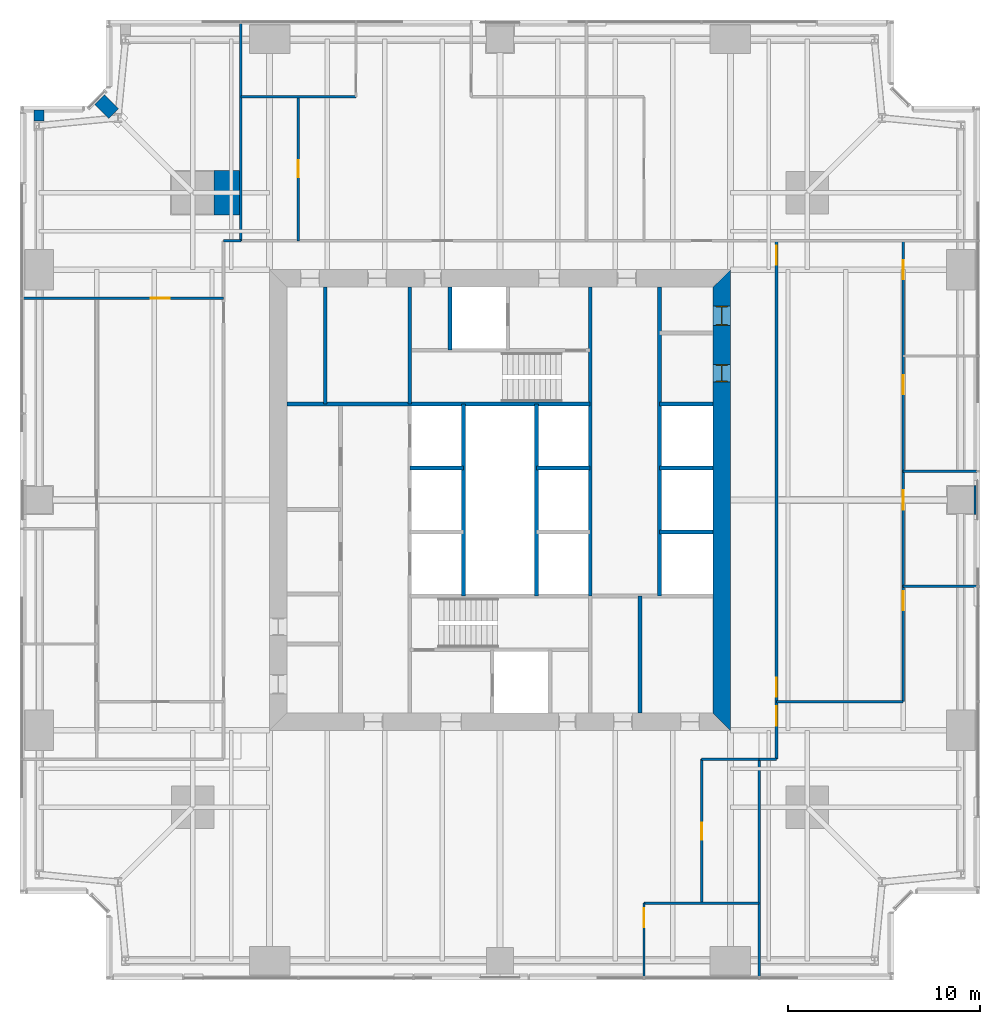
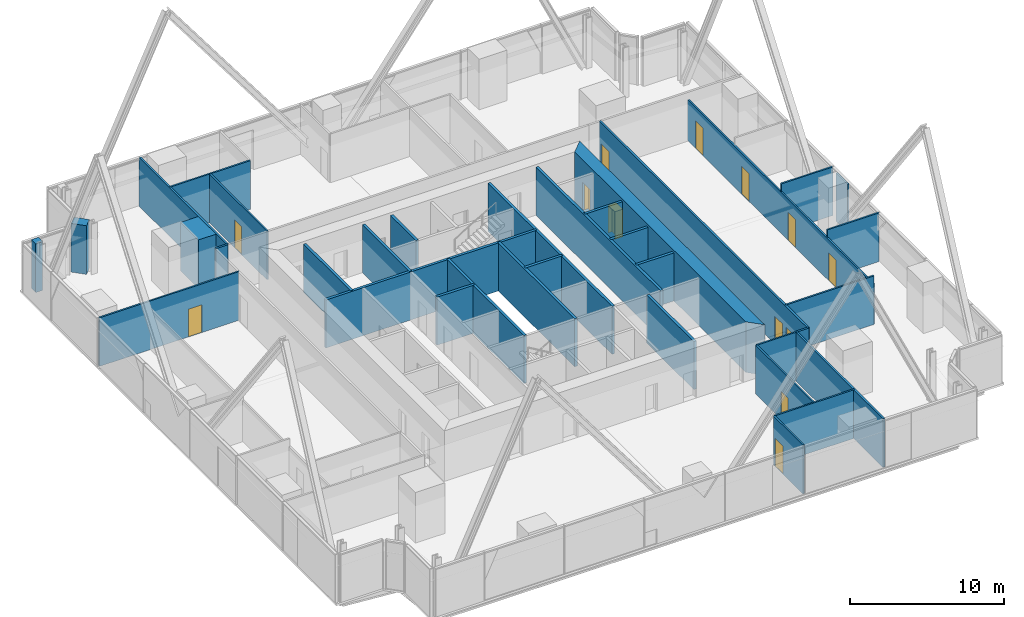
# One storey, part 10 of 13: 35 walls, 13 doors, 13 openings.
"""IFC4 building model written with IfcOpenShell, lengths in metres."""

from ifc_helpers import new_model, si_unit, direction, frame, frame_2d, origin, place, context, subcontext, project, spatial, polyline, rectangle, outline, extrude, material, layer, layer_set, type_object, element, fill, save


model = new_model("IFC4")

# Units and contexts
model_context = context("Model", 3, precision=1e-05, world=origin(), true_north=direction((0.0, 1.0)))
body_context = subcontext(model_context, "Body", "Model", "MODEL_VIEW")
ifc_project = project(units=[si_unit("LENGTHUNIT", "METRE"), si_unit("AREAUNIT", "SQUARE_METRE"), si_unit("VOLUMEUNIT", "CUBIC_METRE"), si_unit("PLANEANGLEUNIT", "RADIAN"), si_unit("MASSUNIT", "GRAM", prefix="KILO")], contexts=[model_context])

# Site, building, storey
site_placement = place(None, origin())
site = spatial("IfcSite", under=ifc_project, at=site_placement, CompositionType="ELEMENT")
building_placement = place(site_placement, origin())
building = spatial("IfcBuilding", under=site, at=building_placement, Name="Fenwick Lantern Interchange", CompositionType="ELEMENT")
storey_placement = place(building_placement, frame((0.0, 0.0, 114.39990234375)))
storey = spatial("IfcBuildingStorey", under=building, at=storey_placement, Name="L26", CompositionType="ELEMENT", Elevation=114.39990234375)

# Walls
ifc_material_1 = material(Name="Fire-rated gypsum board encasement on steel studs, 2 hour", Category="steel")
ifc_layer_1 = layer(ifc_material_1, 1.5)
ifc_layer_set_1 = layer_set([ifc_layer_1], Name="COLUMN PIER 1500")
wall_type_1 = type_object("IfcWallType", Name="COLUMN PIER 1500", PredefinedType="PARTITIONING", material=ifc_layer_set_1)
wall_1_placement = place(storey_placement, frame((49.800048828125, 25.0, 0.0), z_axis=(0.0, 0.0, 1.0), x_axis=(-1.0, 0.0, 0.0)))
element("IfcWall", 1, at=wall_1_placement, inside=storey, type_object=wall_type_1, Name="L26/W/PIER/CE3", PredefinedType="PARTITIONING", context=body_context, shape_type="SweptSolid", body=[
    extrude(rectangle(XDim=0.10009765625, YDim=1.5, at=frame_2d((0.050048828125, 0.0))), origin(), (0.0, 0.0, 1.0), 3.85009765625),
])
ifc_layer_2 = layer(ifc_material_1, 2.300048828125)
ifc_layer_set_2 = layer_set([ifc_layer_2], Name="COLUMN PIER 2300")
wall_type_2 = type_object("IfcWallType", Name="COLUMN PIER 2300", PredefinedType="PARTITIONING", material=ifc_layer_set_2)
wall_2_placement = place(storey_placement, frame((11.425048828125, 41.0, 0.0), z_axis=(0.0, 0.0, 1.0), x_axis=(-1.0, 0.0, 0.0)))
element("IfcWall", 2, at=wall_2_placement, inside=storey, type_object=wall_type_2, Name="L26/W/PIER/M4", PredefinedType="PARTITIONING", context=body_context, shape_type="SweptSolid", body=[
    extrude(rectangle(XDim=1.324951171875, YDim=2.300048828125, at=frame_2d((0.66259765625, 0.0))), origin(), (0.0, 0.0, 1.0), 3.85009765625),
])
ifc_layer_3 = layer(ifc_material_1, 0.52392578125)
ifc_layer_set_3 = layer_set([ifc_layer_3], Name="COLUMN PIER 524")
wall_type_3 = type_object("IfcWallType", Name="COLUMN PIER 524", PredefinedType="PARTITIONING", material=ifc_layer_set_3)
wall_3_placement = place(storey_placement, frame((1.0, 45.300048828125, 0.0), z_axis=(0.0, 0.0, 1.0), x_axis=(0.0, -1.0, 0.0)))
element("IfcWall", 3, at=wall_3_placement, inside=storey, type_object=wall_type_3, Name="L26/W/PIER/CW1", PredefinedType="PARTITIONING", context=body_context, shape_type="SweptSolid", body=[
    extrude(rectangle(XDim=0.5625, YDim=0.52392578125, at=frame_2d((0.28125, 0.0))), origin(), (0.0, 0.0, 1.0), 3.85009765625),
])
ifc_layer_4 = layer(ifc_material_1, 0.736083984375)
ifc_layer_set_4 = layer_set([ifc_layer_4], Name="COLUMN PIER 736")
wall_type_4 = type_object("IfcWallType", Name="COLUMN PIER 736", PredefinedType="PARTITIONING", material=ifc_layer_set_4)
wall_4_placement = place(storey_placement, frame((4.141357421875, 45.858642578125, 0.0), z_axis=(0.0, 0.0, 1.0), x_axis=(0.707106781187, -0.707106781187, 0.0)))
element("IfcWall", 4, at=wall_4_placement, inside=storey, type_object=wall_type_4, Name="L26/W/PIER/CNR", PredefinedType="PARTITIONING", context=body_context, shape_type="SweptSolid", body=[
    extrude(rectangle(XDim=1.037841796875, YDim=0.736083984375, at=frame_2d((0.51904296875, 0.0))), origin(), (0.0, 0.0, 1.0), 3.85009765625),
])
ifc_material_2 = material(Name="Concrete masonry ASTM C90 Grade N", Category="masonry")
ifc_layer_5 = layer(ifc_material_2, 0.199951171875)
ifc_layer_set_5 = layer_set([ifc_layer_5], Name="Concrete masonry ASTM C90 Grade N")
wall_type_5 = type_object("IfcWallType", Name="CORE PARTITION 200", PredefinedType="PARTITIONING", material=ifc_layer_set_5)
wall_5_placement = place(storey_placement, frame((20.300048828125, 26.666748046875, 0.0), z_axis=(0.0, 0.0, 1.0), x_axis=(1.0, 0.0, 0.0)))
element("IfcWall", 5, at=wall_5_placement, inside=storey, type_object=wall_type_5, Name="L26/W/CORES/e2", PredefinedType="PARTITIONING", context=body_context, shape_type="SweptSolid", body=[
    extrude(rectangle(XDim=2.800048828125, YDim=0.199951171875, at=frame_2d((1.39990234375, 0.0))), origin(), (0.0, 0.0, 1.0), 3.800048828125),
])
wall_6_placement = place(storey_placement, frame((23.10009765625, 20.0, 0.0), z_axis=(0.0, 0.0, 1.0), x_axis=(0.0, 1.0, 0.0)))
element("IfcWall", 6, at=wall_6_placement, inside=storey, type_object=wall_type_5, Name="L26/W/CORES/e3", PredefinedType="PARTITIONING", context=body_context, shape_type="SweptSolid", body=[
    extrude(rectangle(XDim=10.0, YDim=0.199951171875, at=frame_2d((5.0, 0.0))), origin(), (0.0, 0.0, 1.0), 3.800048828125),
])
wall_7_placement = place(storey_placement, frame((32.300048828125, 13.89990234375, 0.0), z_axis=(0.0, 0.0, 1.0), x_axis=(0.0, 1.0, 0.0)))
element("IfcWall", 7, at=wall_7_placement, inside=storey, type_object=wall_type_5, Name="L26/W/CORES/i2", PredefinedType="PARTITIONING", context=body_context, shape_type="SweptSolid", body=[
    extrude(rectangle(XDim=6.10009765625, YDim=0.199951171875, at=frame_2d((3.050048828125, 0.0))), origin(), (0.0, 0.0, 1.0), 3.800048828125),
])
wall_8_placement = place(storey_placement, frame((33.300048828125, 36.10009765625, 0.0), z_axis=(0.0, 0.0, 1.0), x_axis=(0.0, -1.0, 0.0)))
element("IfcWall", 8, at=wall_8_placement, inside=storey, type_object=wall_type_5, Name="L26/W/COREN/a", PredefinedType="PARTITIONING", context=body_context, shape_type="SweptSolid", body=[
    extrude(rectangle(XDim=16.10009765625, YDim=0.199951171875, at=frame_2d((8.050048828125, 0.0))), origin(), (0.0, 0.0, 1.0), 3.800048828125),
])
for number, where, z_axis, x_axis, name in (
    (9, (36.10009765625, 30.0, 0.0), (0.0, 0.0, 1.0), (-1.0, 0.0, 0.0), "L26/W/COREN/c2"),
    (10, (36.10009765625, 26.666748046875, 0.0), (0.0, 0.0, 1.0), (-1.0, 0.0, 0.0), "L26/W/COREN/d1"),
    (11, (36.10009765625, 23.333251953125, 0.0), (0.0, 0.0, 1.0), (-1.0, 0.0, 0.0), "L26/W/COREN/d2"),
    (12, (29.699951171875, 26.666748046875, 0.0), (0.0, 0.0, 1.0), (-1.0, 0.0, 0.0), "L26/W/COREN/e1"),
):
    element("IfcWall", number, at=place(storey_placement, frame(where, z_axis=z_axis, x_axis=x_axis)), inside=storey, type_object=wall_type_5, Name=name, PredefinedType="PARTITIONING", context=body_context, shape_type="SweptSolid", body=[
        extrude(rectangle(XDim=2.800048828125, YDim=0.199951171875, at=frame_2d((1.39990234375, 0.0))), origin(), (0.0, 0.0, 1.0), 3.800048828125),
    ])
wall_9_placement = place(storey_placement, frame((26.89990234375, 30.0, 0.0), z_axis=(0.0, 0.0, 1.0), x_axis=(0.0, -1.0, 0.0)))
element("IfcWall", 13, at=wall_9_placement, inside=storey, type_object=wall_type_5, Name="L26/W/COREN/e3", PredefinedType="PARTITIONING", context=body_context, shape_type="SweptSolid", body=[
    extrude(rectangle(XDim=10.0, YDim=0.199951171875, at=frame_2d((5.0, 0.0))), origin(), (0.0, 0.0, 1.0), 3.800048828125),
])
wall_10_placement = place(storey_placement, frame((22.39990234375, 36.10009765625, 0.0), z_axis=(0.0, 0.0, 1.0), x_axis=(0.0, -1.0, 0.0)))
element("IfcWall", 14, at=wall_10_placement, inside=storey, type_object=wall_type_5, Name="L26/W/COREN/h2", PredefinedType="PARTITIONING", context=body_context, shape_type="SweptSolid", body=[
    extrude(rectangle(XDim=3.300048828125, YDim=0.199951171875, at=frame_2d((1.64990234375, 0.0))), origin(), (0.0, 0.0, 1.0), 3.800048828125),
])
wall_11_placement = place(storey_placement, frame((15.89990234375, 36.10009765625, 0.0), z_axis=(0.0, 0.0, 1.0), x_axis=(0.0, -1.0, 0.0)))
element("IfcWall", 15, at=wall_11_placement, inside=storey, type_object=wall_type_5, Name="L26/W/COREN/i2", PredefinedType="PARTITIONING", context=body_context, shape_type="SweptSolid", body=[
    extrude(rectangle(XDim=6.10009765625, YDim=0.199951171875, at=frame_2d((3.050048828125, 0.0))), origin(), (0.0, 0.0, 1.0), 3.800048828125),
])

# Wall, openings, doors
ifc_material_3 = material(Name="Concrete f'c 70 MPa", Category="concrete")
ifc_layer_6 = layer(ifc_material_3, 0.89990234375)
ifc_layer_set_6 = layer_set([ifc_layer_6], Name="CORE WALL 900")
wall_type_6 = type_object("IfcWallType", Name="CORE WALL 900", PredefinedType="SHEAR", material=ifc_layer_set_6)
wall_12_placement = place(storey_placement, frame((36.550048828125, 13.89990234375, 0.0), z_axis=(0.0, 0.0, 1.0), x_axis=(0.0, 1.0, 0.0)))
wall_12 = element("IfcWall", 16, at=wall_12_placement, inside=storey, type_object=wall_type_6, Name="L26/CORE/E", PredefinedType="SHEAR", context=body_context, shape_type="SweptSolid", body=[
    extrude(outline(polyline([(-0.89990234375, -0.449951171875), (23.10009765625, -0.449951171875), (22.199951171875, 0.449951171875), (0.0, 0.449951171875), (-0.89990234375, -0.449951171875)])), origin(), (0.0, 0.0, 1.0), 4.0),
])
opening_1_placement = place(wall_12_placement, frame((20.199951171875, 0.0, 0.0)))
opening_1 = element("IfcOpeningElement", 17, at=opening_1_placement, cuts=wall_12, Name="Opening L26-D017", PredefinedType="OPENING", context=body_context, shape_type="SweptSolid", body=[
    extrude(rectangle(XDim=1.0, YDim=2.199951171875, at=frame_2d((0.5, 1.10009765625))), frame((0.0, 0.4599609375, 0.0), z_axis=(0.0, -1.0, 0.0), x_axis=(1.0, 0.0, 0.0)), (0.0, 0.0, 1.0), 0.919921875),
])
opening_2_placement = place(wall_12_placement, frame((17.25, 0.0, 0.0)))
opening_2 = element("IfcOpeningElement", 18, at=opening_2_placement, cuts=wall_12, Name="Opening L26-D018", PredefinedType="OPENING", context=body_context, shape_type="SweptSolid", body=[
    extrude(rectangle(XDim=0.89990234375, YDim=2.199951171875, at=frame_2d((0.449951171875, 1.10009765625))), frame((0.0, 0.4599609375, 0.0), z_axis=(0.0, -1.0, 0.0), x_axis=(1.0, 0.0, 0.0)), (0.0, 0.0, 1.0), 0.919921875),
])
ifc_material_4 = material(Name="Steel door and frame", Category="steel")
door_type_1 = type_object("IfcDoorType", Name="SERVICE DOOR 1000 X 2200", OperationType="SINGLE_SWING_LEFT", PredefinedType="DOOR", material=ifc_material_4)
door_1_placement = place(opening_1_placement, origin())
door_1 = element("IfcDoor", 19, at=door_1_placement, inside=storey, type_object=door_type_1, Name="Service door", OperationType="SINGLE_SWING_LEFT", OverallHeight=2.199951171875, OverallWidth=1.0, PredefinedType="DOOR", context=body_context, shape_type="SweptSolid", body=[
    extrude(rectangle(XDim=1.0, YDim=2.199951171875, at=frame_2d((0.5, 1.10009765625))), frame((0.0, 0.02490234375, 0.0), z_axis=(0.0, -1.0, 0.0), x_axis=(1.0, 0.0, 0.0)), (0.0, 0.0, 1.0), 0.050048828125),
    extrude(outline(polyline([(0.0, 0.0), (0.0400390625, 0.0), (0.0400390625, 2.159912109375), (0.9599609375, 2.159912109375), (0.9599609375, 0.0), (1.0, 0.0), (1.0, 2.199951171875), (0.0, 2.199951171875), (0.0, 0.0)])), frame((0.0, 0.300048828125, 0.0), z_axis=(0.0, -1.0, 0.0), x_axis=(1.0, 0.0, 0.0)), (0.0, 0.0, 1.0), 0.60009765625),
])
fill(opening_1, door_1)
door_type_2 = type_object("IfcDoorType", Name="SERVICE DOOR 900 X 2200", OperationType="SINGLE_SWING_LEFT", PredefinedType="DOOR", material=ifc_material_4)
door_2_placement = place(opening_2_placement, origin())
door_2 = element("IfcDoor", 20, at=door_2_placement, inside=storey, type_object=door_type_2, Name="Service door", OperationType="SINGLE_SWING_LEFT", OverallHeight=2.199951171875, OverallWidth=0.89990234375, PredefinedType="DOOR", context=body_context, shape_type="SweptSolid", body=[
    extrude(rectangle(XDim=0.89990234375, YDim=2.199951171875, at=frame_2d((0.449951171875, 1.10009765625))), frame((0.0, 0.02490234375, 0.0), z_axis=(0.0, -1.0, 0.0), x_axis=(1.0, 0.0, 0.0)), (0.0, 0.0, 1.0), 0.050048828125),
    extrude(outline(polyline([(0.0, 0.0), (0.0400390625, 0.0), (0.0400390625, 2.159912109375), (0.85986328125, 2.159912109375), (0.85986328125, 0.0), (0.89990234375, 0.0), (0.89990234375, 2.199951171875), (0.0, 2.199951171875), (0.0, 0.0)])), frame((0.0, 0.300048828125, 0.0), z_axis=(0.0, -1.0, 0.0), x_axis=(1.0, 0.0, 0.0)), (0.0, 0.0, 1.0), 0.60009765625),
])
fill(opening_2, door_2)

# Wall
ifc_material_5 = material(Name="Gypsum board on steel studs, 1 hour", Category="steel")
ifc_layer_7 = layer(ifc_material_5, 0.14990234375)
ifc_layer_set_7 = layer_set([ifc_layer_7], Name="CORRIDOR WALL 150")
wall_type_7 = type_object("IfcWallType", Name="CORRIDOR WALL 150", PredefinedType="PARTITIONING", material=ifc_layer_set_7)
wall_13_placement = place(storey_placement, frame((38.5, 11.5, 0.0), z_axis=(0.0, 0.0, 1.0), x_axis=(1.0, 0.0, 0.0)))
element("IfcWall", 21, at=wall_13_placement, inside=storey, type_object=wall_type_7, Name="L26/W/OFF/E/CWJ", PredefinedType="PARTITIONING", context=body_context, shape_type="SweptSolid", body=[
    extrude(rectangle(XDim=0.89990234375, YDim=0.14990234375, at=frame_2d((0.449951171875, 0.0))), origin(), (0.0, 0.0, 1.0), 3.85009765625),
])

# Wall, openings, doors
wall_14_placement = place(storey_placement, frame((39.39990234375, 11.5, 0.0), z_axis=(0.0, 0.0, 1.0), x_axis=(0.0, 1.0, 0.0)))
wall_14 = element("IfcWall", 22, at=wall_14_placement, inside=storey, type_object=wall_type_7, Name="L26/W/OFF/E/CW2", PredefinedType="PARTITIONING", context=body_context, shape_type="SweptSolid", body=[
    extrude(rectangle(XDim=27.0, YDim=0.14990234375, at=frame_2d((13.5, 0.0))), origin(), (0.0, 0.0, 1.0), 3.85009765625),
])
opening_3_placement = place(wall_14_placement, frame((3.25, 0.0, 0.0)))
opening_3 = element("IfcOpeningElement", 23, at=opening_3_placement, cuts=wall_14, Name="Opening L26-D021", PredefinedType="OPENING", context=body_context, shape_type="SweptSolid", body=[
    extrude(rectangle(XDim=1.0, YDim=2.199951171875, at=frame_2d((0.5, 1.10009765625))), frame((0.0, 0.0849609375, 0.0), z_axis=(0.0, -1.0, 0.0), x_axis=(1.0, 0.0, 0.0)), (0.0, 0.0, 1.0), 0.169921875),
])
opening_4_placement = place(wall_14_placement, frame((25.75, 0.0, 0.0)))
opening_4 = element("IfcOpeningElement", 24, at=opening_4_placement, cuts=wall_14, Name="Opening L26-D022", PredefinedType="OPENING", context=body_context, shape_type="SweptSolid", body=[
    extrude(rectangle(XDim=1.0, YDim=2.199951171875, at=frame_2d((0.5, 1.10009765625))), frame((0.0, 0.0849609375, 0.0), z_axis=(0.0, -1.0, 0.0), x_axis=(1.0, 0.0, 0.0)), (0.0, 0.0, 1.0), 0.169921875),
])
opening_5_placement = place(wall_14_placement, frame((1.75, 0.0, 0.0)))
opening_5 = element("IfcOpeningElement", 25, at=opening_5_placement, cuts=wall_14, Name="Opening L26-D024", PredefinedType="OPENING", context=body_context, shape_type="SweptSolid", body=[
    extrude(rectangle(XDim=1.0, YDim=2.199951171875, at=frame_2d((0.5, 1.10009765625))), frame((0.0, 0.0849609375, 0.0), z_axis=(0.0, -1.0, 0.0), x_axis=(1.0, 0.0, 0.0)), (0.0, 0.0, 1.0), 0.169921875),
])
ifc_material_6 = material(Name="Hardwood door and steel frame", Category="steel")
door_type_3 = type_object("IfcDoorType", Name="MEETING ROOM DOOR 1000 X 2200", OperationType="SINGLE_SWING_LEFT", PredefinedType="DOOR", material=ifc_material_6)
door_3_placement = place(opening_5_placement, origin())
door_3 = element("IfcDoor", 26, at=door_3_placement, inside=storey, type_object=door_type_3, Name="Meeting room door", OperationType="SINGLE_SWING_LEFT", OverallHeight=2.199951171875, OverallWidth=1.0, PredefinedType="DOOR", context=body_context, shape_type="SweptSolid", body=[
    extrude(rectangle(XDim=1.0, YDim=2.199951171875, at=frame_2d((0.5, 1.10009765625))), frame((0.0, 0.02490234375, 0.0), z_axis=(0.0, -1.0, 0.0), x_axis=(1.0, 0.0, 0.0)), (0.0, 0.0, 1.0), 0.050048828125),
])
fill(opening_5, door_3)
door_type_4 = type_object("IfcDoorType", Name="SUITE ENTRANCE DOOR 1000 X 2200", OperationType="SINGLE_SWING_LEFT", PredefinedType="DOOR", material=ifc_material_4)
door_4_placement = place(opening_3_placement, origin())
door_4 = element("IfcDoor", 27, at=door_4_placement, inside=storey, type_object=door_type_4, Name="Suite entrance door", OperationType="SINGLE_SWING_LEFT", OverallHeight=2.199951171875, OverallWidth=1.0, PredefinedType="DOOR", context=body_context, shape_type="SweptSolid", body=[
    extrude(rectangle(XDim=1.0, YDim=2.199951171875, at=frame_2d((0.5, 1.10009765625))), frame((0.0, 0.02490234375, 0.0), z_axis=(0.0, -1.0, 0.0), x_axis=(1.0, 0.0, 0.0)), (0.0, 0.0, 1.0), 0.050048828125),
])
fill(opening_3, door_4)
door_5_placement = place(opening_4_placement, origin())
door_5 = element("IfcDoor", 28, at=door_5_placement, inside=storey, type_object=door_type_4, Name="Suite entrance door", OperationType="SINGLE_SWING_RIGHT", OverallHeight=2.199951171875, OverallWidth=1.0, PredefinedType="DOOR", context=body_context, shape_type="SweptSolid", body=[
    extrude(rectangle(XDim=1.0, YDim=2.199951171875, at=frame_2d((0.5, 1.10009765625))), frame((0.0, 0.02490234375, 0.0), z_axis=(0.0, -1.0, 0.0), x_axis=(1.0, 0.0, 0.0)), (0.0, 0.0, 1.0), 0.050048828125),
])
fill(opening_4, door_5)

# Wall
wall_15_placement = place(storey_placement, frame((11.5, 38.5, 0.0), z_axis=(0.0, 0.0, 1.0), x_axis=(-1.0, 0.0, 0.0)))
element("IfcWall", 29, at=wall_15_placement, inside=storey, type_object=wall_type_7, Name="L26/W/OFF/W/CWJ", PredefinedType="PARTITIONING", context=body_context, shape_type="SweptSolid", body=[
    extrude(rectangle(XDim=0.89990234375, YDim=0.14990234375, at=frame_2d((0.449951171875, 0.0))), origin(), (0.0, 0.0, 1.0), 3.85009765625),
])

# Wall, opening, door
ifc_material_7 = material(Name="Gypsum board on steel studs, acoustic", Category="steel")
ifc_layer_8 = layer(ifc_material_7, 0.125)
ifc_layer_set_8 = layer_set([ifc_layer_8], Name="OFFICE PARTITION 125")
wall_type_8 = type_object("IfcWallType", Name="OFFICE PARTITION 125", PredefinedType="PARTITIONING", material=ifc_layer_set_8)
wall_16_placement = place(storey_placement, frame((32.5, 0.14990234375, 0.0), z_axis=(0.0, 0.0, 1.0), x_axis=(0.0, 1.0, 0.0)))
wall_16 = element("IfcWall", 30, at=wall_16_placement, inside=storey, type_object=wall_type_8, Name="L26/W/OFF/S/X325-1", PredefinedType="PARTITIONING", context=body_context, shape_type="SweptSolid", body=[
    extrude(rectangle(XDim=3.85009765625, YDim=0.125, at=frame_2d((1.925048828125, 0.0))), origin(), (0.0, 0.0, 1.0), 3.85009765625),
])
opening_6_placement = place(wall_16_placement, frame((2.60009765625, 0.0, 0.0)))
opening_6 = element("IfcOpeningElement", 31, at=opening_6_placement, cuts=wall_16, Name="Opening L26-D019", PredefinedType="OPENING", context=body_context, shape_type="SweptSolid", body=[
    extrude(rectangle(XDim=1.0, YDim=2.199951171875, at=frame_2d((0.5, 1.10009765625))), frame((0.0, 0.072509765625, 0.0), z_axis=(0.0, -1.0, 0.0), x_axis=(1.0, 0.0, 0.0)), (0.0, 0.0, 1.0), 0.14501953125),
])
door_6_placement = place(opening_6_placement, frame((1.0, 0.0, 0.0), z_axis=(0.0, 0.0, 1.0), x_axis=(-1.0, 0.0, 0.0)))
door_6 = element("IfcDoor", 32, at=door_6_placement, inside=storey, type_object=door_type_3, Name="Meeting room door", OperationType="SINGLE_SWING_LEFT", OverallHeight=2.199951171875, OverallWidth=1.0, PredefinedType="DOOR", context=body_context, shape_type="SweptSolid", body=[
    extrude(rectangle(XDim=1.0, YDim=2.199951171875, at=frame_2d((0.5, 1.10009765625))), frame((0.0, 0.02490234375, 0.0), z_axis=(0.0, -1.0, 0.0), x_axis=(1.0, 0.0, 0.0)), (0.0, 0.0, 1.0), 0.050048828125),
])
fill(opening_6, door_6)

wall_17_placement = place(storey_placement, frame((35.5, 4.0, 0.0), z_axis=(0.0, 0.0, 1.0), x_axis=(0.0, 1.0, 0.0)))
wall_17 = element("IfcWall", 33, at=wall_17_placement, inside=storey, type_object=wall_type_8, Name="L26/W/OFF/S/X355-1", PredefinedType="PARTITIONING", context=body_context, shape_type="SweptSolid", body=[
    extrude(rectangle(XDim=7.5, YDim=0.125, at=frame_2d((3.75, 0.0))), origin(), (0.0, 0.0, 1.0), 3.85009765625),
])
opening_7_placement = place(wall_17_placement, frame((3.300048828125, 0.0, 0.0)))
opening_7 = element("IfcOpeningElement", 34, at=opening_7_placement, cuts=wall_17, Name="Opening L26-D020", PredefinedType="OPENING", context=body_context, shape_type="SweptSolid", body=[
    extrude(rectangle(XDim=0.89990234375, YDim=2.199951171875, at=frame_2d((0.449951171875, 1.10009765625))), frame((0.0, 0.072509765625, 0.0), z_axis=(0.0, -1.0, 0.0), x_axis=(1.0, 0.0, 0.0)), (0.0, 0.0, 1.0), 0.14501953125),
])
door_type_5 = type_object("IfcDoorType", Name="OFFICE DOOR 900 X 2200", OperationType="SINGLE_SWING_LEFT", PredefinedType="DOOR", material=ifc_material_6)
door_7_placement = place(opening_7_placement, frame((0.89990234375, 0.0, 0.0), z_axis=(0.0, 0.0, 1.0), x_axis=(-1.0, 0.0, 0.0)))
door_7 = element("IfcDoor", 35, at=door_7_placement, inside=storey, type_object=door_type_5, Name="Office door", OperationType="SINGLE_SWING_RIGHT", OverallHeight=2.199951171875, OverallWidth=0.89990234375, PredefinedType="DOOR", context=body_context, shape_type="SweptSolid", body=[
    extrude(rectangle(XDim=0.89990234375, YDim=2.199951171875, at=frame_2d((0.449951171875, 1.10009765625))), frame((0.0, 0.02490234375, 0.0), z_axis=(0.0, -1.0, 0.0), x_axis=(1.0, 0.0, 0.0)), (0.0, 0.0, 1.0), 0.050048828125),
])
fill(opening_7, door_7)

# Walls
wall_18_placement = place(storey_placement, frame((32.5, 4.0, 0.0), z_axis=(0.0, 0.0, 1.0), x_axis=(1.0, 0.0, 0.0)))
element("IfcWall", 36, at=wall_18_placement, inside=storey, type_object=wall_type_8, Name="L26/W/OFF/S/Y40-1", PredefinedType="PARTITIONING", context=body_context, shape_type="SweptSolid", body=[
    extrude(rectangle(XDim=6.0, YDim=0.125, at=frame_2d((3.0, 0.0))), origin(), (0.0, 0.0, 1.0), 3.85009765625),
])
wall_19_placement = place(storey_placement, frame((35.5, 11.5, 0.0), z_axis=(0.0, 0.0, 1.0), x_axis=(1.0, 0.0, 0.0)))
element("IfcWall", 37, at=wall_19_placement, inside=storey, type_object=wall_type_8, Name="L26/W/OFF/S/CWS1", PredefinedType="PARTITIONING", context=body_context, shape_type="SweptSolid", body=[
    extrude(rectangle(XDim=3.0, YDim=0.125, at=frame_2d((1.5, 0.0))), origin(), (0.0, 0.0, 1.0), 3.85009765625),
])
wall_20_placement = place(storey_placement, frame((46.0, 14.5, 0.0), z_axis=(0.0, 0.0, 1.0), x_axis=(-1.0, 0.0, 0.0)))
element("IfcWall", 38, at=wall_20_placement, inside=storey, type_object=wall_type_8, Name="L26/W/OFF/E/X145-1", PredefinedType="PARTITIONING", context=body_context, shape_type="SweptSolid", body=[
    extrude(rectangle(XDim=6.60009765625, YDim=0.125, at=frame_2d((3.300048828125, 0.0))), origin(), (0.0, 0.0, 1.0), 3.85009765625),
])
for number, where, z_axis, x_axis, name in (
    (39, (49.85009765625, 20.5, 0.0), (0.0, 0.0, 1.0), (-1.0, 0.0, 0.0), "L26/W/OFF/E/X205-1"),
    (40, (49.85009765625, 26.5, 0.0), (0.0, 0.0, 1.0), (-1.0, 0.0, 0.0), "L26/W/OFF/E/X265-1"),
):
    element("IfcWall", number, at=place(storey_placement, frame(where, z_axis=z_axis, x_axis=x_axis)), inside=storey, type_object=wall_type_8, Name=name, PredefinedType="PARTITIONING", context=body_context, shape_type="SweptSolid", body=[
        extrude(rectangle(XDim=3.85009765625, YDim=0.125, at=frame_2d((1.925048828125, 0.0))), origin(), (0.0, 0.0, 1.0), 3.85009765625),
    ])

# Wall, openings, doors
wall_21_placement = place(storey_placement, frame((46.0, 14.5, 0.0), z_axis=(0.0, 0.0, 1.0), x_axis=(0.0, 1.0, 0.0)))
wall_21 = element("IfcWall", 41, at=wall_21_placement, inside=storey, type_object=wall_type_8, Name="L26/W/OFF/E/Y40-1", PredefinedType="PARTITIONING", context=body_context, shape_type="SweptSolid", body=[
    extrude(rectangle(XDim=24.0, YDim=0.125, at=frame_2d((12.0, 0.0))), origin(), (0.0, 0.0, 1.0), 3.238037109375),
])
opening_8_placement = place(wall_21_placement, frame((4.75, 0.0, 0.0)))
opening_8 = element("IfcOpeningElement", 42, at=opening_8_placement, cuts=wall_21, Name="Opening L26-D023", PredefinedType="OPENING", context=body_context, shape_type="SweptSolid", body=[
    extrude(rectangle(XDim=1.0, YDim=2.199951171875, at=frame_2d((0.5, 1.10009765625))), frame((0.0, 0.072509765625, 0.0), z_axis=(0.0, -1.0, 0.0), x_axis=(1.0, 0.0, 0.0)), (0.0, 0.0, 1.0), 0.14501953125),
])
opening_9_placement = place(wall_21_placement, frame((10.0, 0.0, 0.0)))
opening_9 = element("IfcOpeningElement", 43, at=opening_9_placement, cuts=wall_21, Name="Opening L26-D025", PredefinedType="OPENING", context=body_context, shape_type="SweptSolid", body=[
    extrude(rectangle(XDim=1.0, YDim=2.199951171875, at=frame_2d((0.5, 1.10009765625))), frame((0.0, 0.072509765625, 0.0), z_axis=(0.0, -1.0, 0.0), x_axis=(1.0, 0.0, 0.0)), (0.0, 0.0, 1.0), 0.14501953125),
])
opening_10_placement = place(wall_21_placement, frame((16.0, 0.0, 0.0)))
opening_10 = element("IfcOpeningElement", 44, at=opening_10_placement, cuts=wall_21, Name="Opening L26-D026", PredefinedType="OPENING", context=body_context, shape_type="SweptSolid", body=[
    extrude(rectangle(XDim=1.0, YDim=2.199951171875, at=frame_2d((0.5, 1.10009765625))), frame((0.0, 0.072509765625, 0.0), z_axis=(0.0, -1.0, 0.0), x_axis=(1.0, 0.0, 0.0)), (0.0, 0.0, 1.0), 0.14501953125),
])
opening_11_placement = place(wall_21_placement, frame((22.0, 0.0, 0.0)))
opening_11 = element("IfcOpeningElement", 45, at=opening_11_placement, cuts=wall_21, Name="Opening L26-D027", PredefinedType="OPENING", context=body_context, shape_type="SweptSolid", body=[
    extrude(rectangle(XDim=1.0, YDim=2.199951171875, at=frame_2d((0.5, 1.10009765625))), frame((0.0, 0.072509765625, 0.0), z_axis=(0.0, -1.0, 0.0), x_axis=(1.0, 0.0, 0.0)), (0.0, 0.0, 1.0), 0.14501953125),
])
door_8_placement = place(opening_8_placement, origin())
door_8 = element("IfcDoor", 46, at=door_8_placement, inside=storey, type_object=door_type_3, Name="Meeting room door", OperationType="SINGLE_SWING_LEFT", OverallHeight=2.199951171875, OverallWidth=1.0, PredefinedType="DOOR", context=body_context, shape_type="SweptSolid", body=[
    extrude(rectangle(XDim=1.0, YDim=2.199951171875, at=frame_2d((0.5, 1.10009765625))), frame((0.0, 0.02490234375, 0.0), z_axis=(0.0, -1.0, 0.0), x_axis=(1.0, 0.0, 0.0)), (0.0, 0.0, 1.0), 0.050048828125),
])
fill(opening_8, door_8)
door_9_placement = place(opening_9_placement, frame((1.0, 0.0, 0.0), z_axis=(0.0, 0.0, 1.0), x_axis=(-1.0, 0.0, 0.0)))
door_9 = element("IfcDoor", 47, at=door_9_placement, inside=storey, type_object=door_type_3, Name="Meeting room door", OperationType="SINGLE_SWING_LEFT", OverallHeight=2.199951171875, OverallWidth=1.0, PredefinedType="DOOR", context=body_context, shape_type="SweptSolid", body=[
    extrude(rectangle(XDim=1.0, YDim=2.199951171875, at=frame_2d((0.5, 1.10009765625))), frame((0.0, 0.02490234375, 0.0), z_axis=(0.0, -1.0, 0.0), x_axis=(1.0, 0.0, 0.0)), (0.0, 0.0, 1.0), 0.050048828125),
])
fill(opening_9, door_9)
door_10_placement = place(opening_10_placement, frame((1.0, 0.0, 0.0), z_axis=(0.0, 0.0, 1.0), x_axis=(-1.0, 0.0, 0.0)))
door_10 = element("IfcDoor", 48, at=door_10_placement, inside=storey, type_object=door_type_3, Name="Meeting room door", OperationType="SINGLE_SWING_LEFT", OverallHeight=2.199951171875, OverallWidth=1.0, PredefinedType="DOOR", context=body_context, shape_type="SweptSolid", body=[
    extrude(rectangle(XDim=1.0, YDim=2.199951171875, at=frame_2d((0.5, 1.10009765625))), frame((0.0, 0.02490234375, 0.0), z_axis=(0.0, -1.0, 0.0), x_axis=(1.0, 0.0, 0.0)), (0.0, 0.0, 1.0), 0.050048828125),
])
fill(opening_10, door_10)
door_11_placement = place(opening_11_placement, frame((1.0, 0.0, 0.0), z_axis=(0.0, 0.0, 1.0), x_axis=(-1.0, 0.0, 0.0)))
door_11 = element("IfcDoor", 49, at=door_11_placement, inside=storey, type_object=door_type_3, Name="Meeting room door", OperationType="SINGLE_SWING_LEFT", OverallHeight=2.199951171875, OverallWidth=1.0, PredefinedType="DOOR", context=body_context, shape_type="SweptSolid", body=[
    extrude(rectangle(XDim=1.0, YDim=2.199951171875, at=frame_2d((0.5, 1.10009765625))), frame((0.0, 0.02490234375, 0.0), z_axis=(0.0, -1.0, 0.0), x_axis=(1.0, 0.0, 0.0)), (0.0, 0.0, 1.0), 0.050048828125),
])
fill(opening_11, door_11)

# Wall, opening, door
wall_22_placement = place(storey_placement, frame((14.5, 46.0, 0.0), z_axis=(0.0, 0.0, 1.0), x_axis=(0.0, -1.0, 0.0)))
wall_22 = element("IfcWall", 50, at=wall_22_placement, inside=storey, type_object=wall_type_8, Name="L26/W/OFF/N/X355-1", PredefinedType="PARTITIONING", context=body_context, shape_type="SweptSolid", body=[
    extrude(rectangle(XDim=7.5, YDim=0.125, at=frame_2d((3.75, 0.0))), origin(), (0.0, 0.0, 1.0), 3.85009765625),
])
opening_12_placement = place(wall_22_placement, frame((3.300048828125, 0.0, 0.0)))
opening_12 = element("IfcOpeningElement", 51, at=opening_12_placement, cuts=wall_22, Name="Opening L26-D033", PredefinedType="OPENING", context=body_context, shape_type="SweptSolid", body=[
    extrude(rectangle(XDim=0.89990234375, YDim=2.199951171875, at=frame_2d((0.449951171875, 1.10009765625))), frame((0.0, 0.072509765625, 0.0), z_axis=(0.0, -1.0, 0.0), x_axis=(1.0, 0.0, 0.0)), (0.0, 0.0, 1.0), 0.14501953125),
])
door_12_placement = place(opening_12_placement, frame((0.89990234375, 0.0, 0.0), z_axis=(0.0, 0.0, 1.0), x_axis=(-1.0, 0.0, 0.0)))
door_12 = element("IfcDoor", 52, at=door_12_placement, inside=storey, type_object=door_type_5, Name="Office door", OperationType="SINGLE_SWING_RIGHT", OverallHeight=2.199951171875, OverallWidth=0.89990234375, PredefinedType="DOOR", context=body_context, shape_type="SweptSolid", body=[
    extrude(rectangle(XDim=0.89990234375, YDim=2.199951171875, at=frame_2d((0.449951171875, 1.10009765625))), frame((0.0, 0.02490234375, 0.0), z_axis=(0.0, -1.0, 0.0), x_axis=(1.0, 0.0, 0.0)), (0.0, 0.0, 1.0), 0.050048828125),
])
fill(opening_12, door_12)

# Wall
wall_23_placement = place(storey_placement, frame((17.5, 46.0, 0.0), z_axis=(0.0, 0.0, 1.0), x_axis=(-1.0, 0.0, 0.0)))
element("IfcWall", 53, at=wall_23_placement, inside=storey, type_object=wall_type_8, Name="L26/W/OFF/N/Y40-3", PredefinedType="PARTITIONING", context=body_context, shape_type="SweptSolid", body=[
    extrude(rectangle(XDim=6.0, YDim=0.125, at=frame_2d((3.0, 0.0))), origin(), (0.0, 0.0, 1.0), 3.85009765625),
])

# Wall, opening, door
wall_24_placement = place(storey_placement, frame((0.14990234375, 35.5, 0.0), z_axis=(0.0, 0.0, 1.0), x_axis=(1.0, 0.0, 0.0)))
wall_24 = element("IfcWall", 54, at=wall_24_placement, inside=storey, type_object=wall_type_8, Name="L26/W/OFF/W/X145-1", PredefinedType="PARTITIONING", context=body_context, shape_type="SweptSolid", body=[
    extrude(rectangle(XDim=10.4501953125, YDim=0.125, at=frame_2d((5.22509765625, 0.0))), origin(), (0.0, 0.0, 1.0), 3.85009765625),
])
opening_13_placement = place(wall_24_placement, frame((6.64990234375, 0.0, 0.0)))
opening_13 = element("IfcOpeningElement", 55, at=opening_13_placement, cuts=wall_24, Name="Opening L26-D036", PredefinedType="OPENING", context=body_context, shape_type="SweptSolid", body=[
    extrude(rectangle(XDim=1.0, YDim=2.199951171875, at=frame_2d((0.5, 1.10009765625))), frame((0.0, 0.072509765625, 0.0), z_axis=(0.0, -1.0, 0.0), x_axis=(1.0, 0.0, 0.0)), (0.0, 0.0, 1.0), 0.14501953125),
])
door_13_placement = place(opening_13_placement, origin())
door_13 = element("IfcDoor", 56, at=door_13_placement, inside=storey, type_object=door_type_3, Name="Meeting room door", OperationType="SINGLE_SWING_RIGHT", OverallHeight=2.199951171875, OverallWidth=1.0, PredefinedType="DOOR", context=body_context, shape_type="SweptSolid", body=[
    extrude(rectangle(XDim=1.0, YDim=2.199951171875, at=frame_2d((0.5, 1.10009765625))), frame((0.0, 0.02490234375, 0.0), z_axis=(0.0, -1.0, 0.0), x_axis=(1.0, 0.0, 0.0)), (0.0, 0.0, 1.0), 0.050048828125),
])
fill(opening_13, door_13)

# Walls
ifc_material_8 = material(Name="Concrete f'c 45 MPa", Category="concrete")
ifc_layer_9 = layer(ifc_material_8, 0.199951171875)
ifc_layer_set_9 = layer_set([ifc_layer_9], Name="STAIR CORE WALL 200")
wall_type_9 = type_object("IfcWallType", Name="STAIR CORE WALL 200", PredefinedType="SOLIDWALL", material=ifc_layer_set_9)
wall_25_placement = place(storey_placement, frame((29.699951171875, 36.10009765625, 0.0), z_axis=(0.0, 0.0, 1.0), x_axis=(0.0, -1.0, 0.0)))
element("IfcWall", 57, at=wall_25_placement, inside=storey, type_object=wall_type_9, Name="L26/W/COREN/b", PredefinedType="SOLIDWALL", context=body_context, shape_type="SweptSolid", body=[
    extrude(rectangle(XDim=16.10009765625, YDim=0.199951171875, at=frame_2d((8.050048828125, 0.0))), origin(), (0.0, 0.0, 1.0), 3.800048828125),
])
wall_26_placement = place(storey_placement, frame((29.699951171875, 30.0, 0.0), z_axis=(0.0, 0.0, 1.0), x_axis=(-1.0, 0.0, 0.0)))
element("IfcWall", 58, at=wall_26_placement, inside=storey, type_object=wall_type_9, Name="L26/W/COREN/g2", PredefinedType="SOLIDWALL", context=body_context, shape_type="SweptSolid", body=[
    extrude(rectangle(XDim=15.800048828125, YDim=0.199951171875, at=frame_2d((7.89990234375, 0.0))), origin(), (0.0, 0.0, 1.0), 3.800048828125),
])
wall_27_placement = place(storey_placement, frame((20.300048828125, 36.10009765625, 0.0), z_axis=(0.0, 0.0, 1.0), x_axis=(0.0, -1.0, 0.0)))
element("IfcWall", 59, at=wall_27_placement, inside=storey, type_object=wall_type_9, Name="L26/W/COREN/i1", PredefinedType="SOLIDWALL", context=body_context, shape_type="SweptSolid", body=[
    extrude(rectangle(XDim=6.10009765625, YDim=0.199951171875, at=frame_2d((3.050048828125, 0.0))), origin(), (0.0, 0.0, 1.0), 3.800048828125),
])
ifc_material_9 = material(Name="Gypsum board on steel studs, 1 hour acoustic", Category="steel")
ifc_layer_10 = layer(ifc_material_9, 0.14990234375)
ifc_layer_set_10 = layer_set([ifc_layer_10], Name="TENANT WALL 150")
wall_type_10 = type_object("IfcWallType", Name="TENANT WALL 150", PredefinedType="PARTITIONING", material=ifc_layer_set_10)
for number, where, z_axis, x_axis, name in (
    (60, (38.5, 0.14990234375, 0.0), (0.0, 0.0, 1.0), (0.0, 1.0, 0.0), "L26/W/OFF/E/BACK"),
    (61, (11.5, 49.85009765625, 0.0), (0.0, 0.0, 1.0), (0.0, -1.0, 0.0), "L26/W/OFF/W/BACK"),
):
    element("IfcWall", number, at=place(storey_placement, frame(where, z_axis=z_axis, x_axis=x_axis)), inside=storey, type_object=wall_type_10, Name=name, PredefinedType="PARTITIONING", context=body_context, shape_type="SweptSolid", body=[
        extrude(rectangle(XDim=11.35009765625, YDim=0.14990234375, at=frame_2d((5.675048828125, 0.0))), origin(), (0.0, 0.0, 1.0), 3.85009765625),
    ])

save(model, "model.ifc")
